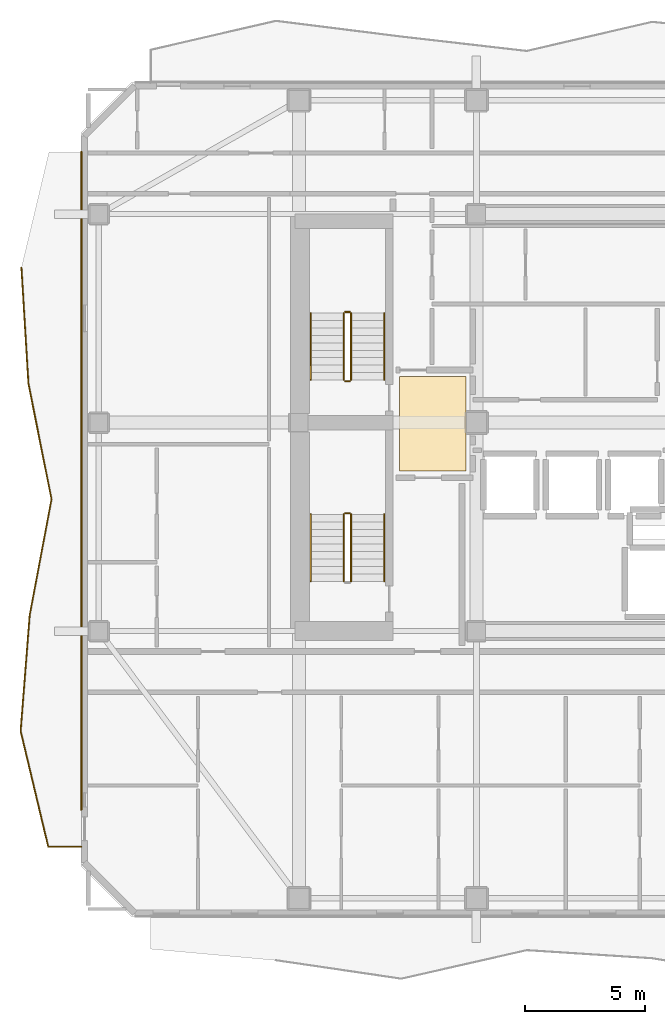
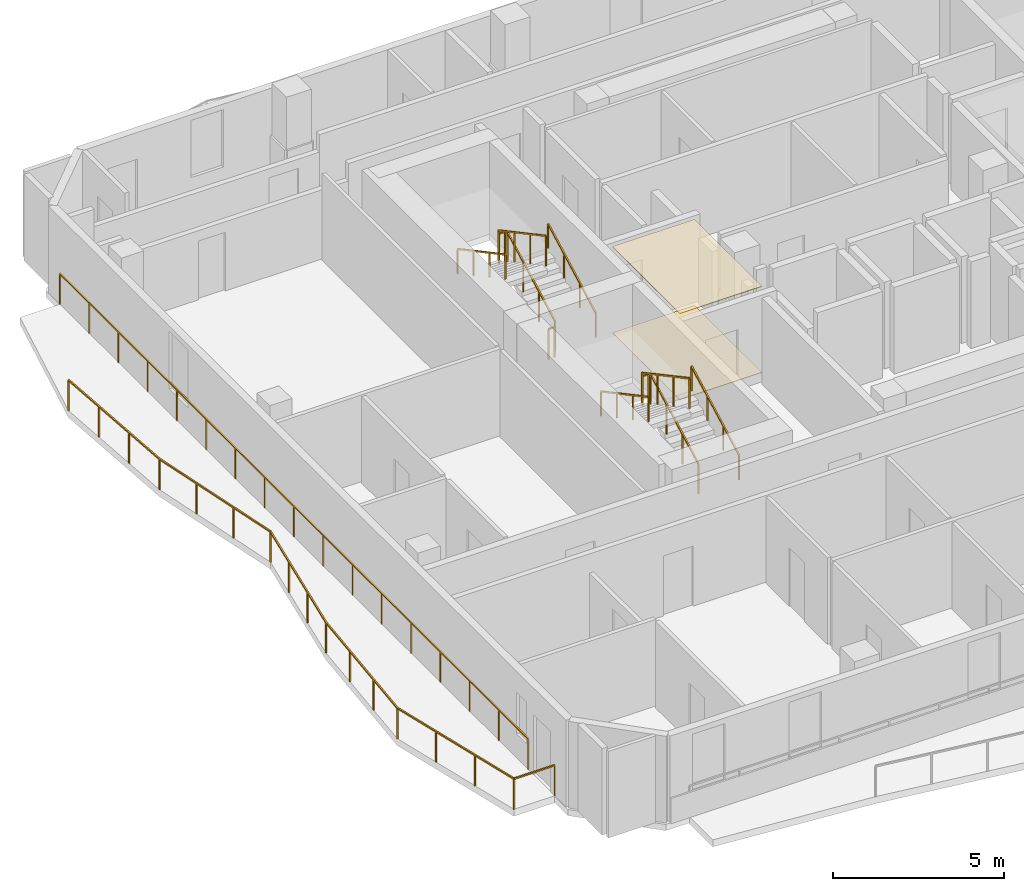
# One storey, part 8 of 10: 13 railings, 2 coverings.
"""IFC4 building model written with IfcOpenShell, lengths in metres."""

from ifc_helpers import new_model, si_unit, direction, frame, origin, origin_2d, place, context, subcontext, project, spatial, polyline, rectangle, outline, extrude, material, layer, layer_set, type_object, element, save


model = new_model("IFC4")

# Units and contexts
model_context = context("Model", 3, precision=1e-05, world=origin(), true_north=direction((0.0, 1.0)))
body_context = subcontext(model_context, "Body", "Model", "MODEL_VIEW")
ifc_project = project(units=[si_unit("LENGTHUNIT", "METRE"), si_unit("AREAUNIT", "SQUARE_METRE"), si_unit("VOLUMEUNIT", "CUBIC_METRE"), si_unit("PLANEANGLEUNIT", "RADIAN"), si_unit("MASSUNIT", "GRAM", prefix="KILO")], contexts=[model_context])

# Site, building, storey
site_placement = place(None, origin())
site = spatial("IfcSite", under=ifc_project, at=site_placement, CompositionType="ELEMENT")
building_placement = place(site_placement, origin())
building = spatial("IfcBuilding", under=site, at=building_placement, Name="Solanera Arch Residences", CompositionType="ELEMENT")
storey_placement = place(building_placement, frame((0.0, 0.0, 196.800048828125)))
storey = spatial("IfcBuildingStorey", under=building, at=storey_placement, Name="L57", CompositionType="ELEMENT", Elevation=196.800048828125)

# Railings
ifc_material_1 = material(Name="Steel S355 (ASTM A992 / A572 Grade 50)", Category="steel")
railing_type_1 = type_object("IfcRailingType", Name="Balustrade Railing BL-1100", PredefinedType="BALUSTRADE", material=ifc_material_1)
railing_1_placement = place(storey_placement, frame((1.81396484375, 37.1669921875, 0.0)))
element("IfcRailing", 1, at=railing_1_placement, inside=storey, type_object=railing_type_1, Name="L57 W Balcony Balustrade 1", PredefinedType="BALUSTRADE", context=body_context, shape_type="SweptSolid", body=[
    extrude(rectangle(XDim=0.048095703125, YDim=0.048095703125, at=origin_2d()), frame((0.0, 0.0, 1.09619140625), z_axis=(0.060294144498, -0.998180653058, 0.0), x_axis=(0.998180653058, 0.060294144498, 0.0)), (0.0, 0.0, 1.0), 4.8427734375),
    extrude(rectangle(XDim=0.048095703125, YDim=0.048095703125, at=origin_2d()), frame((0.2919921875, -4.833984375, 1.09619140625), z_axis=(0.195439661842, -0.980715727711, 0.0), x_axis=(0.980715727711, 0.195439661842, 0.0)), (0.0, 0.0, 1.0), 4.927978515625),
    extrude(rectangle(XDim=0.048095703125, YDim=0.048095703125, at=origin_2d()), frame((1.255126953125, -9.6669921875, 1.09619140625), z_axis=(-0.185259531892, -0.98268962844, 0.0), x_axis=(0.98268962844, -0.185259531892, 0.0)), (0.0, 0.0, 1.0), 4.918212890625),
    extrude(rectangle(XDim=0.048095703125, YDim=0.048095703125, at=origin_2d()), frame((0.343994140625, -14.5, 1.09619140625), z_axis=(-0.077943968857, -0.99695774119, 0.0), x_axis=(0.99695774119, -0.077943968857, 0.0)), (0.0, 0.0, 1.0), 4.8486328125),
    extrude(rectangle(XDim=0.048095703125, YDim=0.048095703125, at=origin_2d()), frame((-0.033935546875, -19.333984375, 1.09619140625), z_axis=(0.232255950037, -0.972654704236, 0.0), x_axis=(0.972654704236, 0.232255950037, 0.0)), (0.0, 0.0, 1.0), 4.968994140625),
    extrude(rectangle(XDim=0.048095703125, YDim=0.048095703125, at=origin_2d()), frame((1.1201171875, -24.1669921875, 1.09619140625), z_axis=(1.0, 0.0, 0.0), x_axis=(0.0, 1.0, 0.0)), (0.0, 0.0, 1.0), 1.385986328125),
    extrude(rectangle(XDim=0.0419921875, YDim=0.0419921875, at=origin_2d()), origin(), (0.0, 0.0, 1.0), 1.072021484375),
    extrude(rectangle(XDim=0.0419921875, YDim=0.0419921875, at=origin_2d()), frame((0.097412109375, -1.611328125, 0.0)), (0.0, 0.0, 1.0), 1.072021484375),
    extrude(rectangle(XDim=0.0419921875, YDim=0.0419921875, at=origin_2d()), frame((0.194580078125, -3.22265625, 0.0)), (0.0, 0.0, 1.0), 1.072021484375),
    extrude(rectangle(XDim=0.0419921875, YDim=0.0419921875, at=origin_2d()), frame((0.2919921875, -4.833984375, 0.0)), (0.0, 0.0, 1.0), 1.072021484375),
    extrude(rectangle(XDim=0.0419921875, YDim=0.0419921875, at=origin_2d()), frame((0.613037109375, -6.445068359375, 0.0)), (0.0, 0.0, 1.0), 1.072021484375),
    extrude(rectangle(XDim=0.0419921875, YDim=0.0419921875, at=origin_2d()), frame((0.93408203125, -8.055908203125, 0.0)), (0.0, 0.0, 1.0), 1.072021484375),
    extrude(rectangle(XDim=0.0419921875, YDim=0.0419921875, at=origin_2d()), frame((1.255126953125, -9.6669921875, 0.0)), (0.0, 0.0, 1.0), 1.072021484375),
    extrude(rectangle(XDim=0.0419921875, YDim=0.0419921875, at=origin_2d()), frame((0.951416015625, -11.278076171875, 0.0)), (0.0, 0.0, 1.0), 1.072021484375),
    extrude(rectangle(XDim=0.0419921875, YDim=0.0419921875, at=origin_2d()), frame((0.647705078125, -12.888916015625, 0.0)), (0.0, 0.0, 1.0), 1.072021484375),
    extrude(rectangle(XDim=0.0419921875, YDim=0.0419921875, at=origin_2d()), frame((0.343994140625, -14.5, 0.0)), (0.0, 0.0, 1.0), 1.072021484375),
    extrude(rectangle(XDim=0.0419921875, YDim=0.0419921875, at=origin_2d()), frame((0.218017578125, -16.111328125, 0.0)), (0.0, 0.0, 1.0), 1.072021484375),
    extrude(rectangle(XDim=0.0419921875, YDim=0.0419921875, at=origin_2d()), frame((0.092041015625, -17.72265625, 0.0)), (0.0, 0.0, 1.0), 1.072021484375),
    extrude(rectangle(XDim=0.0419921875, YDim=0.0419921875, at=origin_2d()), frame((-0.033935546875, -19.333984375, 0.0)), (0.0, 0.0, 1.0), 1.072021484375),
    extrude(rectangle(XDim=0.0419921875, YDim=0.0419921875, at=origin_2d()), frame((0.350830078125, -20.945068359375, 0.0)), (0.0, 0.0, 1.0), 1.072021484375),
    extrude(rectangle(XDim=0.0419921875, YDim=0.0419921875, at=origin_2d()), frame((0.7353515625, -22.555908203125, 0.0)), (0.0, 0.0, 1.0), 1.072021484375),
    extrude(rectangle(XDim=0.0419921875, YDim=0.0419921875, at=origin_2d()), frame((1.1201171875, -24.1669921875, 0.0)), (0.0, 0.0, 1.0), 1.072021484375),
    extrude(rectangle(XDim=0.0419921875, YDim=0.0419921875, at=origin_2d()), frame((2.506103515625, -24.1669921875, 0.0)), (0.0, 0.0, 1.0), 1.072021484375),
])
railing_2_placement = place(storey_placement, frame((4.320068359375, 14.554931640625, 0.0)))
element("IfcRailing", 2, at=railing_2_placement, inside=storey, type_object=railing_type_1, Name="L57 W Balcony Balustrade 2", PredefinedType="BALUSTRADE", context=body_context, shape_type="SweptSolid", body=[
    extrude(rectangle(XDim=0.048095703125, YDim=0.048095703125, at=origin_2d()), frame((0.0, 0.0, 1.09619140625), z_axis=(0.0, 1.0, 0.0), x_axis=(-1.0, 0.0, 0.0)), (0.0, 0.0, 1.0), 27.445068359375),
    extrude(rectangle(XDim=0.0419921875, YDim=0.0419921875, at=origin_2d()), origin(), (0.0, 0.0, 1.0), 1.072021484375),
    extrude(rectangle(XDim=0.0419921875, YDim=0.0419921875, at=origin_2d()), frame((0.0, 1.71533203125, 0.0)), (0.0, 0.0, 1.0), 1.072021484375),
    extrude(rectangle(XDim=0.0419921875, YDim=0.0419921875, at=origin_2d()), frame((0.0, 3.4306640625, 0.0)), (0.0, 0.0, 1.0), 1.072021484375),
    extrude(rectangle(XDim=0.0419921875, YDim=0.0419921875, at=origin_2d()), frame((0.0, 5.14599609375, 0.0)), (0.0, 0.0, 1.0), 1.072021484375),
    extrude(rectangle(XDim=0.0419921875, YDim=0.0419921875, at=origin_2d()), frame((0.0, 6.861328125, 0.0)), (0.0, 0.0, 1.0), 1.072021484375),
    extrude(rectangle(XDim=0.0419921875, YDim=0.0419921875, at=origin_2d()), frame((0.0, 8.57666015625, 0.0)), (0.0, 0.0, 1.0), 1.072021484375),
    extrude(rectangle(XDim=0.0419921875, YDim=0.0419921875, at=origin_2d()), frame((0.0, 10.2919921875, 0.0)), (0.0, 0.0, 1.0), 1.072021484375),
    extrude(rectangle(XDim=0.0419921875, YDim=0.0419921875, at=origin_2d()), frame((0.0, 12.00732421875, 0.0)), (0.0, 0.0, 1.0), 1.072021484375),
    extrude(rectangle(XDim=0.0419921875, YDim=0.0419921875, at=origin_2d()), frame((0.0, 13.72265625, 0.0)), (0.0, 0.0, 1.0), 1.072021484375),
    extrude(rectangle(XDim=0.0419921875, YDim=0.0419921875, at=origin_2d()), frame((0.0, 15.437744140625, 0.0)), (0.0, 0.0, 1.0), 1.072021484375),
    extrude(rectangle(XDim=0.0419921875, YDim=0.0419921875, at=origin_2d()), frame((0.0, 17.153076171875, 0.0)), (0.0, 0.0, 1.0), 1.072021484375),
    extrude(rectangle(XDim=0.0419921875, YDim=0.0419921875, at=origin_2d()), frame((0.0, 18.868408203125, 0.0)), (0.0, 0.0, 1.0), 1.072021484375),
    extrude(rectangle(XDim=0.0419921875, YDim=0.0419921875, at=origin_2d()), frame((0.0, 20.583740234375, 0.0)), (0.0, 0.0, 1.0), 1.072021484375),
    extrude(rectangle(XDim=0.0419921875, YDim=0.0419921875, at=origin_2d()), frame((0.0, 22.299072265625, 0.0)), (0.0, 0.0, 1.0), 1.072021484375),
    extrude(rectangle(XDim=0.0419921875, YDim=0.0419921875, at=origin_2d()), frame((0.0, 24.014404296875, 0.0)), (0.0, 0.0, 1.0), 1.072021484375),
    extrude(rectangle(XDim=0.0419921875, YDim=0.0419921875, at=origin_2d()), frame((0.0, 25.729736328125, 0.0)), (0.0, 0.0, 1.0), 1.072021484375),
    extrude(rectangle(XDim=0.0419921875, YDim=0.0419921875, at=origin_2d()), frame((0.0, 27.445068359375, 0.0)), (0.0, 0.0, 1.0), 1.072021484375),
])

# Covering
ifc_material_2 = material(Name="Porcelain Acoustic Floor Tile", Category="ceramic")
ifc_layer_1 = layer(ifc_material_2, 0.02001953125)
ifc_layer_set_1 = layer_set([ifc_layer_1], Name="Porcelain Acoustic Floor Tile")
covering_type_1 = type_object("IfcCoveringType", Name="Porcelain Acoustic Floor Finish FLR-20", PredefinedType="FLOORING", material=ifc_layer_set_1)
covering_1_placement = place(storey_placement, origin())
element("IfcCovering", 3, at=covering_1_placement, inside=storey, type_object=covering_type_1, Name="L57-FFL-W Porcelain Floor Finish", PredefinedType="FLOORING", context=body_context, shape_type="SweptSolid", body=[
    extrude(outline(polyline([(20.375, 28.675048828125), (17.594970703125, 28.675048828125), (17.594970703125, 32.625), (20.375, 32.625), (20.375, 28.675048828125)])), origin(), (0.0, 0.0, 1.0), 0.02001953125),
])

# Railings
ifc_material_3 = material(Name="Steel S355 (ASTM A992 / A572 Grade 50)", Category="steel")
railing_type_2 = type_object("IfcRailingType", Name="Stair Guardrail GR-1100", PredefinedType="GUARDRAIL", material=ifc_material_3)
railing_3_placement = place(storey_placement, frame((15.570068359375, 32.47998046875, 0.15087890625)))
element("IfcRailing", 4, at=railing_3_placement, inside=storey, type_object=railing_type_2, Name="L57 ST-T1 stair guard 1", PredefinedType="GUARDRAIL", context=body_context, shape_type="SweptSolid", body=[
    extrude(rectangle(XDim=0.048095703125, YDim=0.048095703125, at=origin_2d()), frame((0.0, 0.0, 1.076171875), z_axis=(0.0, 0.881548766853, 0.472092969298), x_axis=(-1.0, 0.0, 0.0)), (0.0, 0.0, 1.0), 3.1650390625),
    extrude(rectangle(XDim=0.0419921875, YDim=0.0419921875, at=origin_2d()), origin(), (0.0, 0.0, 1.0), 1.052001953125),
    extrude(rectangle(XDim=0.0419921875, YDim=0.0419921875, at=origin_2d()), frame((0.0, 0.929931640625, 0.498046875)), (0.0, 0.0, 1.0), 1.052001953125),
    extrude(rectangle(XDim=0.0419921875, YDim=0.0419921875, at=origin_2d()), frame((0.0, 1.860107421875, 0.99609375)), (0.0, 0.0, 1.0), 1.052001953125),
    extrude(rectangle(XDim=0.0419921875, YDim=0.0419921875, at=origin_2d()), frame((0.0, 2.7900390625, 1.494140625)), (0.0, 0.0, 1.0), 1.052001953125),
])
railing_4_placement = place(storey_placement, frame((15.52001953125, 35.320068359375, 1.64501953125)))
element("IfcRailing", 5, at=railing_4_placement, inside=storey, type_object=railing_type_2, Name="L57 ST-T1 stair guard 2", PredefinedType="GUARDRAIL", context=body_context, shape_type="SweptSolid", body=[
    extrude(rectangle(XDim=0.048095703125, YDim=0.048095703125, at=origin_2d()), frame((0.0, 0.0, 1.076171875), z_axis=(-1.0, 0.0, 0.0), x_axis=(0.0, -1.0, 0.0)), (0.0, 0.0, 1.0), 0.199951171875),
    extrude(rectangle(XDim=0.0419921875, YDim=0.0419921875, at=origin_2d()), origin(), (0.0, 0.0, 1.0), 1.052001953125),
    extrude(rectangle(XDim=0.0419921875, YDim=0.0419921875, at=origin_2d()), frame((-0.199951171875, 0.0, 0.0)), (0.0, 0.0, 1.0), 1.052001953125),
])
railing_5_placement = place(storey_placement, frame((15.27001953125, 35.27001953125, 1.81103515625)))
element("IfcRailing", 6, at=railing_5_placement, inside=storey, type_object=railing_type_2, Name="L57 ST-T1 stair guard 3", PredefinedType="GUARDRAIL", context=body_context, shape_type="SweptSolid", body=[
    extrude(rectangle(XDim=0.048095703125, YDim=0.048095703125, at=origin_2d()), frame((0.0, 0.0, 1.076171875), z_axis=(0.0, -0.881580869306, 0.472033018838), x_axis=(1.0, 0.0, 0.0)), (0.0, 0.0, 1.0), 3.164794921875),
    extrude(rectangle(XDim=0.0419921875, YDim=0.0419921875, at=origin_2d()), origin(), (0.0, 0.0, 1.0), 1.052001953125),
    extrude(rectangle(XDim=0.0419921875, YDim=0.0419921875, at=origin_2d()), frame((0.0, -0.929931640625, 0.498046875)), (0.0, 0.0, 1.0), 1.052001953125),
    extrude(rectangle(XDim=0.0419921875, YDim=0.0419921875, at=origin_2d()), frame((0.0, -1.860107421875, 0.995849609375)), (0.0, 0.0, 1.0), 1.052001953125),
    extrude(rectangle(XDim=0.0419921875, YDim=0.0419921875, at=origin_2d()), frame((0.0, -2.7900390625, 1.493896484375)), (0.0, 0.0, 1.0), 1.052001953125),
])
railing_6_placement = place(storey_placement, frame((15.52001953125, 32.429931640625, -0.01513671875)))
element("IfcRailing", 7, at=railing_6_placement, inside=storey, type_object=railing_type_2, Name="L57 ST-T1 stair guard 4", PredefinedType="GUARDRAIL", context=body_context, shape_type="SweptSolid", body=[
    extrude(rectangle(XDim=0.048095703125, YDim=0.048095703125, at=origin_2d()), frame((0.0, 0.0, 1.076171875), z_axis=(-1.0, 0.0, 0.0), x_axis=(0.0, -1.0, 0.0)), (0.0, 0.0, 1.0), 0.199951171875),
    extrude(rectangle(XDim=0.0419921875, YDim=0.0419921875, at=origin_2d()), origin(), (0.0, 0.0, 1.0), 1.052001953125),
    extrude(rectangle(XDim=0.0419921875, YDim=0.0419921875, at=origin_2d()), frame((-0.199951171875, 0.0, 0.0)), (0.0, 0.0, 1.0), 1.052001953125),
])
railing_7_placement = place(storey_placement, frame((15.570068359375, 24.080078125, 0.15087890625)))
element("IfcRailing", 8, at=railing_7_placement, inside=storey, type_object=railing_type_2, Name="L57 ST-T3 stair guard 1", PredefinedType="GUARDRAIL", context=body_context, shape_type="SweptSolid", body=[
    extrude(rectangle(XDim=0.048095703125, YDim=0.048095703125, at=origin_2d()), frame((0.0, 0.0, 1.076171875), z_axis=(0.0, 0.881548766853, 0.472092969298), x_axis=(-1.0, 0.0, 0.0)), (0.0, 0.0, 1.0), 3.1650390625),
    extrude(rectangle(XDim=0.0419921875, YDim=0.0419921875, at=origin_2d()), origin(), (0.0, 0.0, 1.0), 1.052001953125),
    extrude(rectangle(XDim=0.0419921875, YDim=0.0419921875, at=origin_2d()), frame((0.0, 0.929931640625, 0.498046875)), (0.0, 0.0, 1.0), 1.052001953125),
    extrude(rectangle(XDim=0.0419921875, YDim=0.0419921875, at=origin_2d()), frame((0.0, 1.860107421875, 0.99609375)), (0.0, 0.0, 1.0), 1.052001953125),
    extrude(rectangle(XDim=0.0419921875, YDim=0.0419921875, at=origin_2d()), frame((0.0, 2.7900390625, 1.494140625)), (0.0, 0.0, 1.0), 1.052001953125),
])
railing_8_placement = place(storey_placement, frame((15.52001953125, 26.919921875, 1.64501953125)))
element("IfcRailing", 9, at=railing_8_placement, inside=storey, type_object=railing_type_2, Name="L57 ST-T3 stair guard 2", PredefinedType="GUARDRAIL", context=body_context, shape_type="SweptSolid", body=[
    extrude(rectangle(XDim=0.048095703125, YDim=0.048095703125, at=origin_2d()), frame((0.0, 0.0, 1.076171875), z_axis=(-1.0, 0.0, 0.0), x_axis=(0.0, -1.0, 0.0)), (0.0, 0.0, 1.0), 0.199951171875),
    extrude(rectangle(XDim=0.0419921875, YDim=0.0419921875, at=origin_2d()), origin(), (0.0, 0.0, 1.0), 1.052001953125),
    extrude(rectangle(XDim=0.0419921875, YDim=0.0419921875, at=origin_2d()), frame((-0.199951171875, 0.0, 0.0)), (0.0, 0.0, 1.0), 1.052001953125),
])
railing_9_placement = place(storey_placement, frame((15.27001953125, 26.8701171875, 1.81103515625)))
element("IfcRailing", 10, at=railing_9_placement, inside=storey, type_object=railing_type_2, Name="L57 ST-T3 stair guard 3", PredefinedType="GUARDRAIL", context=body_context, shape_type="SweptSolid", body=[
    extrude(rectangle(XDim=0.048095703125, YDim=0.048095703125, at=origin_2d()), frame((0.0, 0.0, 1.076171875), z_axis=(0.0, -0.881580869306, 0.472033018838), x_axis=(1.0, 0.0, 0.0)), (0.0, 0.0, 1.0), 3.164794921875),
    extrude(rectangle(XDim=0.0419921875, YDim=0.0419921875, at=origin_2d()), origin(), (0.0, 0.0, 1.0), 1.052001953125),
    extrude(rectangle(XDim=0.0419921875, YDim=0.0419921875, at=origin_2d()), frame((0.0, -0.929931640625, 0.498046875)), (0.0, 0.0, 1.0), 1.052001953125),
    extrude(rectangle(XDim=0.0419921875, YDim=0.0419921875, at=origin_2d()), frame((0.0, -1.860107421875, 0.995849609375)), (0.0, 0.0, 1.0), 1.052001953125),
    extrude(rectangle(XDim=0.0419921875, YDim=0.0419921875, at=origin_2d()), frame((0.0, -2.7900390625, 1.493896484375)), (0.0, 0.0, 1.0), 1.052001953125),
])
ifc_material_4 = material(Name="Steel S355 (ASTM A992 / A572 Grade 50)", Category="steel")
railing_type_3 = type_object("IfcRailingType", Name="Stair Wall Handrail HR-920", PredefinedType="HANDRAIL", material=ifc_material_4)
railing_10_placement = place(storey_placement, frame((16.949951171875, 32.47998046875, 0.166015625)))
element("IfcRailing", 11, at=railing_10_placement, inside=storey, type_object=railing_type_3, Name="L57 ST-T1 stair handrail 1", PredefinedType="HANDRAIL", context=body_context, shape_type="SweptSolid", body=[
    extrude(rectangle(XDim=0.048095703125, YDim=0.048095703125, at=origin_2d()), frame((0.0, 0.0, 0.8759765625), z_axis=(0.0, 0.881580869306, 0.472033018838), x_axis=(-1.0, 0.0, 0.0)), (0.0, 0.0, 1.0), 3.164794921875),
    extrude(rectangle(XDim=0.0419921875, YDim=0.0419921875, at=origin_2d()), origin(), (0.0, 0.0, 1.0), 0.851806640625),
    extrude(rectangle(XDim=0.0419921875, YDim=0.0419921875, at=origin_2d()), frame((0.0, 0.929931640625, 0.498046875)), (0.0, 0.0, 1.0), 0.851806640625),
    extrude(rectangle(XDim=0.0419921875, YDim=0.0419921875, at=origin_2d()), frame((0.0, 1.860107421875, 0.995849609375)), (0.0, 0.0, 1.0), 0.851806640625),
    extrude(rectangle(XDim=0.0419921875, YDim=0.0419921875, at=origin_2d()), frame((0.0, 2.7900390625, 1.493896484375)), (0.0, 0.0, 1.0), 0.851806640625),
])
railing_11_placement = place(storey_placement, frame((13.889892578125, 35.27001953125, 1.825927734375)))
element("IfcRailing", 12, at=railing_11_placement, inside=storey, type_object=railing_type_3, Name="L57 ST-T1 stair handrail 2", PredefinedType="HANDRAIL", context=body_context, shape_type="SweptSolid", body=[
    extrude(rectangle(XDim=0.048095703125, YDim=0.048095703125, at=origin_2d()), frame((0.0, 0.0, 0.8759765625), z_axis=(0.0, -0.881548766853, 0.472092969298), x_axis=(1.0, 0.0, 0.0)), (0.0, 0.0, 1.0), 3.1650390625),
    extrude(rectangle(XDim=0.0419921875, YDim=0.0419921875, at=origin_2d()), origin(), (0.0, 0.0, 1.0), 0.851806640625),
    extrude(rectangle(XDim=0.0419921875, YDim=0.0419921875, at=origin_2d()), frame((0.0, -0.929931640625, 0.498046875)), (0.0, 0.0, 1.0), 0.851806640625),
    extrude(rectangle(XDim=0.0419921875, YDim=0.0419921875, at=origin_2d()), frame((0.0, -1.860107421875, 0.99609375)), (0.0, 0.0, 1.0), 0.851806640625),
    extrude(rectangle(XDim=0.0419921875, YDim=0.0419921875, at=origin_2d()), frame((0.0, -2.7900390625, 1.494140625)), (0.0, 0.0, 1.0), 0.851806640625),
])
railing_12_placement = place(storey_placement, frame((16.949951171875, 24.080078125, 0.166015625)))
element("IfcRailing", 13, at=railing_12_placement, inside=storey, type_object=railing_type_3, Name="L57 ST-T3 stair handrail 1", PredefinedType="HANDRAIL", context=body_context, shape_type="SweptSolid", body=[
    extrude(rectangle(XDim=0.048095703125, YDim=0.048095703125, at=origin_2d()), frame((0.0, 0.0, 0.8759765625), z_axis=(0.0, 0.881580869306, 0.472033018838), x_axis=(-1.0, 0.0, 0.0)), (0.0, 0.0, 1.0), 3.164794921875),
    extrude(rectangle(XDim=0.0419921875, YDim=0.0419921875, at=origin_2d()), origin(), (0.0, 0.0, 1.0), 0.851806640625),
    extrude(rectangle(XDim=0.0419921875, YDim=0.0419921875, at=origin_2d()), frame((0.0, 0.929931640625, 0.498046875)), (0.0, 0.0, 1.0), 0.851806640625),
    extrude(rectangle(XDim=0.0419921875, YDim=0.0419921875, at=origin_2d()), frame((0.0, 1.860107421875, 0.995849609375)), (0.0, 0.0, 1.0), 0.851806640625),
    extrude(rectangle(XDim=0.0419921875, YDim=0.0419921875, at=origin_2d()), frame((0.0, 2.7900390625, 1.493896484375)), (0.0, 0.0, 1.0), 0.851806640625),
])
railing_13_placement = place(storey_placement, frame((13.889892578125, 26.8701171875, 1.825927734375)))
element("IfcRailing", 14, at=railing_13_placement, inside=storey, type_object=railing_type_3, Name="L57 ST-T3 stair handrail 2", PredefinedType="HANDRAIL", context=body_context, shape_type="SweptSolid", body=[
    extrude(rectangle(XDim=0.048095703125, YDim=0.048095703125, at=origin_2d()), frame((0.0, 0.0, 0.8759765625), z_axis=(0.0, -0.881548766853, 0.472092969298), x_axis=(1.0, 0.0, 0.0)), (0.0, 0.0, 1.0), 3.1650390625),
    extrude(rectangle(XDim=0.0419921875, YDim=0.0419921875, at=origin_2d()), origin(), (0.0, 0.0, 1.0), 0.851806640625),
    extrude(rectangle(XDim=0.0419921875, YDim=0.0419921875, at=origin_2d()), frame((0.0, -0.929931640625, 0.498046875)), (0.0, 0.0, 1.0), 0.851806640625),
    extrude(rectangle(XDim=0.0419921875, YDim=0.0419921875, at=origin_2d()), frame((0.0, -1.860107421875, 0.99609375)), (0.0, 0.0, 1.0), 0.851806640625),
    extrude(rectangle(XDim=0.0419921875, YDim=0.0419921875, at=origin_2d()), frame((0.0, -2.7900390625, 1.494140625)), (0.0, 0.0, 1.0), 0.851806640625),
])

# Covering
ifc_material_5 = material(Name="Mineral Fibre Acoustic Ceiling Board", Category="gypsum")
ifc_layer_2 = layer(ifc_material_5, 0.02490234375)
ifc_layer_set_2 = layer_set([ifc_layer_2], Name="Mineral Fibre Acoustic Ceiling Board")
covering_type_2 = type_object("IfcCoveringType", Name="Suspended Acoustic Ceiling Board CLG-25", PredefinedType="CEILING", material=ifc_layer_set_2)
covering_2_placement = place(storey_placement, frame((0.0, 0.0, 3.074951171875)))
element("IfcCovering", 15, at=covering_2_placement, inside=storey, type_object=covering_type_2, Name="L57-FFL-W Acoustic Ceiling", PredefinedType="CEILING", context=body_context, shape_type="SweptSolid", body=[
    extrude(outline(polyline([(20.375, 28.675048828125), (17.594970703125, 28.675048828125), (17.594970703125, 32.625), (20.375, 32.625), (20.375, 28.675048828125)])), origin(), (0.0, 0.0, 1.0), 0.02490234375),
])

save(model, "model.ifc")
